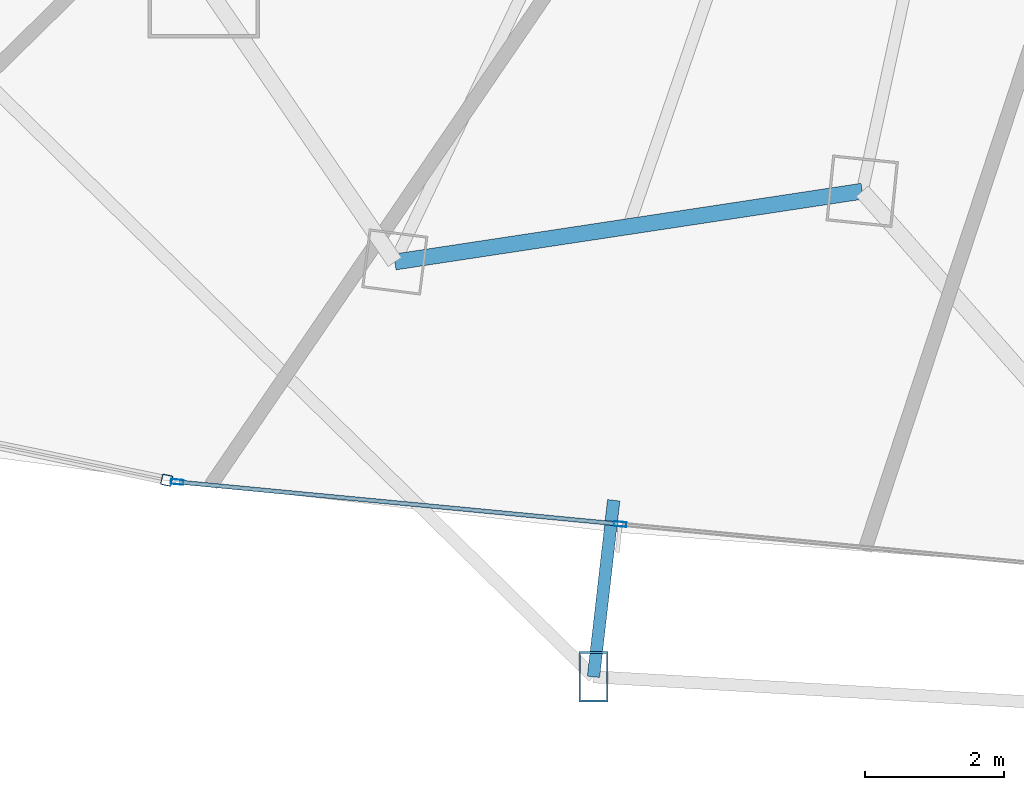
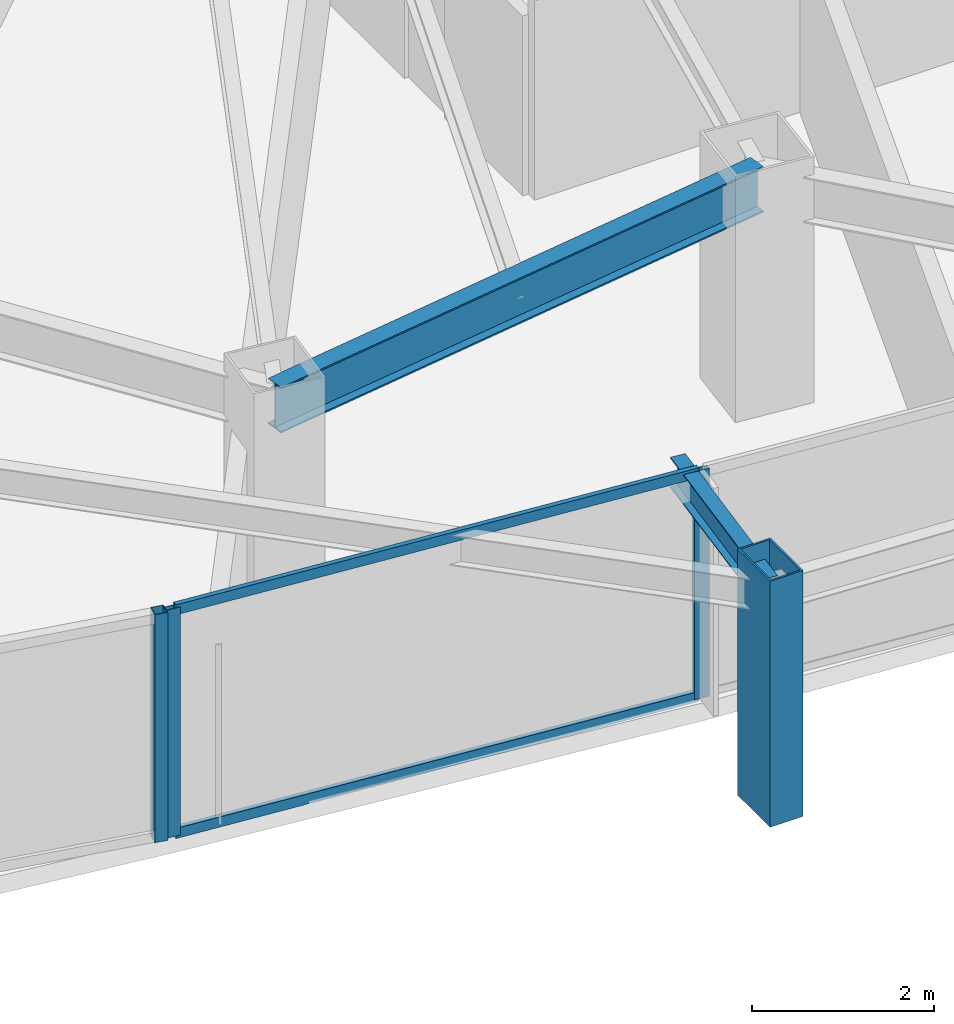
# One storey, part 4 of 34: 6 members, 2 beams, 2 elements without a shape of their own.
"""IFC4 building model written with IfcOpenShell, lengths in metres."""

from ifc_helpers import new_model, si_unit, direction, frame, origin, origin_2d, place, context, subcontext, project, spatial, hollow_rectangle, i_section, extrude, material, layer, layer_set, material_profile, profile_set, type_object, element, aggregate, save


model = new_model("IFC4")

# Units and contexts
model_context = context("Model", 3, precision=1e-05, world=origin(), true_north=direction((0.0, 1.0)))
body_context = subcontext(model_context, "Body", "Model", "MODEL_VIEW")
ifc_project = project(units=[si_unit("LENGTHUNIT", "METRE"), si_unit("AREAUNIT", "SQUARE_METRE"), si_unit("VOLUMEUNIT", "CUBIC_METRE"), si_unit("PLANEANGLEUNIT", "RADIAN"), si_unit("MASSUNIT", "GRAM", prefix="KILO")], contexts=[model_context])

# Site, building, storey
site_placement = place(None, origin())
site = spatial("IfcSite", under=ifc_project, at=site_placement, CompositionType="ELEMENT")
building_placement = place(site_placement, origin())
building = spatial("IfcBuilding", under=site, at=building_placement, Name="Orvanel Arch Residences", CompositionType="ELEMENT")
storey_placement = place(building_placement, frame((0.0, 0.0, 64.25)))
storey = spatial("IfcBuildingStorey", under=building, at=storey_placement, Name="L17", CompositionType="ELEMENT", Elevation=64.25)

# Member
ifc_material_1 = material(Name="Structural steel AS/NZS 3678 Grade 350", Category="steel")
ifc_material_profile_1 = material_profile(ifc_material_1, hollow_rectangle(XDim=0.419921875, YDim=0.719970703125, WallThickness=0.02490234375, at=origin_2d()), Name="RHS720x420x25")
ifc_profile_set_1 = profile_set([ifc_material_profile_1], Name="Structural steel AS/NZS 3678 Grade 350")
member_type_1 = type_object("IfcMemberType", Name="CH-720RHS-EXT", PredefinedType="CHORD", material=ifc_profile_set_1)
member_1_placement = place(storey_placement, frame((19.7919921875, 0.385986328125, 0.0), z_axis=(0.0, 0.0, 1.0), x_axis=(1.0, 0.0, 0.0)))
element("IfcMember", 1, at=member_1_placement, inside=storey, type_object=member_type_1, Name="L17 Outer Perimeter Frame Post 05", PredefinedType="CHORD", context=body_context, shape_type="SweptSolid", body=[
    extrude(hollow_rectangle(XDim=0.419921875, YDim=0.719970703125, WallThickness=0.02490234375, at=origin_2d()), origin(), (0.0, 0.0, 1.0), 3.300048828125),
])

# Curtain wall, member
ifc_material_2 = material(Name="Bronze-anodised aluminium AA6063-T6", Category="aluminium")
ifc_layer_1 = layer(ifc_material_2, 0.18994140625)
ifc_layer_set_1 = layer_set([ifc_layer_1], Name="Bronze-anodised aluminium AA6063-T6")
curtain_wall_type_1 = type_object("IfcCurtainWallType", Name="CW5-CRN-SYS", PredefinedType="NOTDEFINED", material=ifc_layer_set_1)
curtain_wall_1_placement = place(storey_placement, origin())
curtain_wall_1 = element("IfcCurtainWall", 2, at=curtain_wall_1_placement, inside=storey, type_object=curtain_wall_type_1, Name="L17 CW5-CRN-SYS Unitised Curtain Wall", PredefinedType="NOTDEFINED")
ifc_material_profile_2 = material_profile(ifc_material_2, hollow_rectangle(XDim=0.14990234375, YDim=0.14990234375, WallThickness=0.0048828125, at=origin_2d()), Name="ALU150x150x5")
ifc_profile_set_2 = profile_set([ifc_material_profile_2], Name="Bronze-anodised aluminium AA6063-T6")
member_type_2 = type_object("IfcMemberType", Name="MUL-150x150", PredefinedType="MULLION", material=ifc_profile_set_2)
member_2_placement = place(storey_placement, frame((13.66748046875, 3.207275390625, 0.0), z_axis=(0.0, 0.0, 1.0), x_axis=(0.202301523353, 0.979323283522, 0.0)))
member_2 = element("IfcMember", 3, at=member_2_placement, type_object=member_type_2, Name="CW-S5 mullion 3", PredefinedType="MULLION", context=body_context, shape_type="SweptSolid", body=[
    extrude(hollow_rectangle(XDim=0.14990234375, YDim=0.14990234375, WallThickness=0.0048828125, at=origin_2d()), origin(), (0.0, 0.0, 1.0), 3.06005859375),
])
aggregate(curtain_wall_1, [member_2])

# Curtain wall, members
ifc_layer_2 = layer(ifc_material_2, 0.179931640625)
ifc_layer_set_2 = layer_set([ifc_layer_2], Name="Bronze-anodised aluminium AA6063-T6")
curtain_wall_type_2 = type_object("IfcCurtainWallType", Name="CW2-LOW-SYS", PredefinedType="NOTDEFINED", material=ifc_layer_set_2)
curtain_wall_2_placement = place(storey_placement, origin())
curtain_wall_2 = element("IfcCurtainWall", 4, at=curtain_wall_2_placement, inside=storey, type_object=curtain_wall_type_2, Name="L17 CW2-LOW-SYS Unitised Curtain Wall", PredefinedType="NOTDEFINED")
ifc_material_profile_3 = material_profile(ifc_material_2, hollow_rectangle(XDim=0.070068359375, YDim=0.179931640625, WallThickness=0.00439453125, at=origin_2d()), Name="ALU180x70x4.5")
ifc_profile_set_3 = profile_set([ifc_material_profile_3], Name="Bronze-anodised aluminium AA6063-T6")
member_type_3 = type_object("IfcMemberType", Name="MUL-180x70", PredefinedType="MULLION", material=ifc_profile_set_3)
member_3_placement = place(storey_placement, frame((13.81591796875, 3.1826171875, 0.0), z_axis=(0.0, 0.0, 1.0), x_axis=(0.094831137816, 0.995493372806, 0.0)))
member_3 = element("IfcMember", 5, at=member_3_placement, type_object=member_type_3, Name="CW-S2 mullion 1", PredefinedType="MULLION", context=body_context, shape_type="SweptSolid", body=[
    extrude(hollow_rectangle(XDim=0.070068359375, YDim=0.179931640625, WallThickness=0.00439453125, at=origin_2d()), origin(), (0.0, 0.0, 1.0), 3.06005859375),
])
member_4_placement = place(storey_placement, frame((20.174072265625, 2.576904296875, 0.0), z_axis=(0.0, 0.0, 1.0), x_axis=(0.094831137816, 0.995493372806, 0.0)))
member_4 = element("IfcMember", 6, at=member_4_placement, type_object=member_type_3, Name="CW-S2 mullion 2", PredefinedType="MULLION", context=body_context, shape_type="SweptSolid", body=[
    extrude(hollow_rectangle(XDim=0.070068359375, YDim=0.179931640625, WallThickness=0.00439453125, at=origin_2d()), origin(), (0.0, 0.0, 1.0), 3.06005859375),
])

# Beams
ifc_material_3 = material(Name="Structural steel AS/NZS 3679.1 Grade 300 (300 MPa)", Category="steel")
ifc_material_profile_4 = material_profile(ifc_material_3, i_section(OverallWidth=0.177978515625, OverallDepth=0.406005859375, WebThickness=0.0078125, FlangeThickness=0.0126953125, at=origin_2d()), Name="410UB59.7")
ifc_profile_set_4 = profile_set([ifc_material_profile_4], Name="Structural steel AS/NZS 3679.1 Grade 300 (300 MPa)")
beam_type_1 = type_object("IfcBeamType", Name="OB-410UB-EXT", PredefinedType="SPANDREL", material=ifc_profile_set_4)
beam_1_placement = place(storey_placement, frame((20.08203125, 2.9189453125, 2.85693359375), z_axis=(-0.113762646049, -0.99350795687, 0.0), x_axis=(0.99350795687, -0.113762646049, 0.0)))
element("IfcBeam", 7, at=beam_1_placement, inside=storey, type_object=beam_type_1, Name="L17 Outer Frame Radial Tie Beam 05", PredefinedType="SPANDREL", context=body_context, shape_type="SweptSolid", body=[
    extrude(i_section(OverallWidth=0.177978515625, OverallDepth=0.406005859375, WebThickness=0.0078125, FlangeThickness=0.0126953125, at=origin_2d()), origin(), (0.0, 0.0, 1.0), 2.549560546875),
])
ifc_material_profile_5 = material_profile(ifc_material_3, i_section(OverallWidth=0.22900390625, OverallDepth=0.612060546875, WebThickness=0.011962890625, FlangeThickness=0.01953125, at=origin_2d()), Name="610UB125")
ifc_profile_set_5 = profile_set([ifc_material_profile_5], Name="Structural steel AS/NZS 3679.1 Grade 300 (300 MPa)")
beam_type_2 = type_object("IfcBeamType", Name="SP-610UB", PredefinedType="SPANDREL", material=ifc_profile_set_5)
beam_2_placement = place(storey_placement, frame((16.94091796875, 6.339111328125, 2.75390625), z_axis=(0.988726323014, 0.149733958002, 0.0), x_axis=(-0.149733958002, 0.988726323014, 0.0)))
element("IfcBeam", 8, at=beam_2_placement, inside=storey, type_object=beam_type_2, Name="L17 Perimeter Spandrel Beam 04", PredefinedType="SPANDREL", context=body_context, shape_type="SweptSolid", body=[
    extrude(i_section(OverallWidth=0.22900390625, OverallDepth=0.612060546875, WebThickness=0.011962890625, FlangeThickness=0.01953125, at=origin_2d()), origin(), (0.0, 0.0, 1.0), 6.784423828125),
])

# Member
ifc_material_profile_6 = material_profile(ifc_material_2, hollow_rectangle(XDim=0.06005859375, YDim=0.135009765625, WallThickness=0.00390625, at=origin_2d()), Name="ALU135x60x4")
ifc_profile_set_6 = profile_set([ifc_material_profile_6], Name="Bronze-anodised aluminium AA6063-T6")
member_type_4 = type_object("IfcMemberType", Name="TRN-135x60", PredefinedType="USERDEFINED", material=ifc_profile_set_6)
member_5_placement = place(storey_placement, frame((13.8505859375, 3.179443359375, 0.030029296875), z_axis=(0.995492345482, -0.09484192157, 0.0), x_axis=(0.09484192157, 0.995492345482, 0.0)))
member_5 = element("IfcMember", 9, at=member_5_placement, type_object=member_type_4, Name="CW-S2 transom 1.1", ObjectType="TRANSOM", PredefinedType="USERDEFINED", context=body_context, shape_type="SweptSolid", body=[
    extrude(hollow_rectangle(XDim=0.06005859375, YDim=0.135009765625, WallThickness=0.00390625, at=origin_2d()), origin(), (0.0, 0.0, 1.0), 6.317138671875),
])

member_6_placement = place(storey_placement, frame((13.8505859375, 3.179443359375, 3.030029296875), z_axis=(0.995492345482, -0.09484192157, 0.0), x_axis=(0.09484192157, 0.995492345482, 0.0)))
member_6 = element("IfcMember", 10, at=member_6_placement, type_object=member_type_4, Name="CW-S2 transom 1.2", ObjectType="TRANSOM", PredefinedType="USERDEFINED", context=body_context, shape_type="SweptSolid", body=[
    extrude(hollow_rectangle(XDim=0.06005859375, YDim=0.135009765625, WallThickness=0.00390625, at=origin_2d()), origin(), (0.0, 0.0, 1.0), 6.317138671875),
])

aggregate(curtain_wall_2, [member_3, member_4, member_5, member_6])

save(model, "model.ifc")
